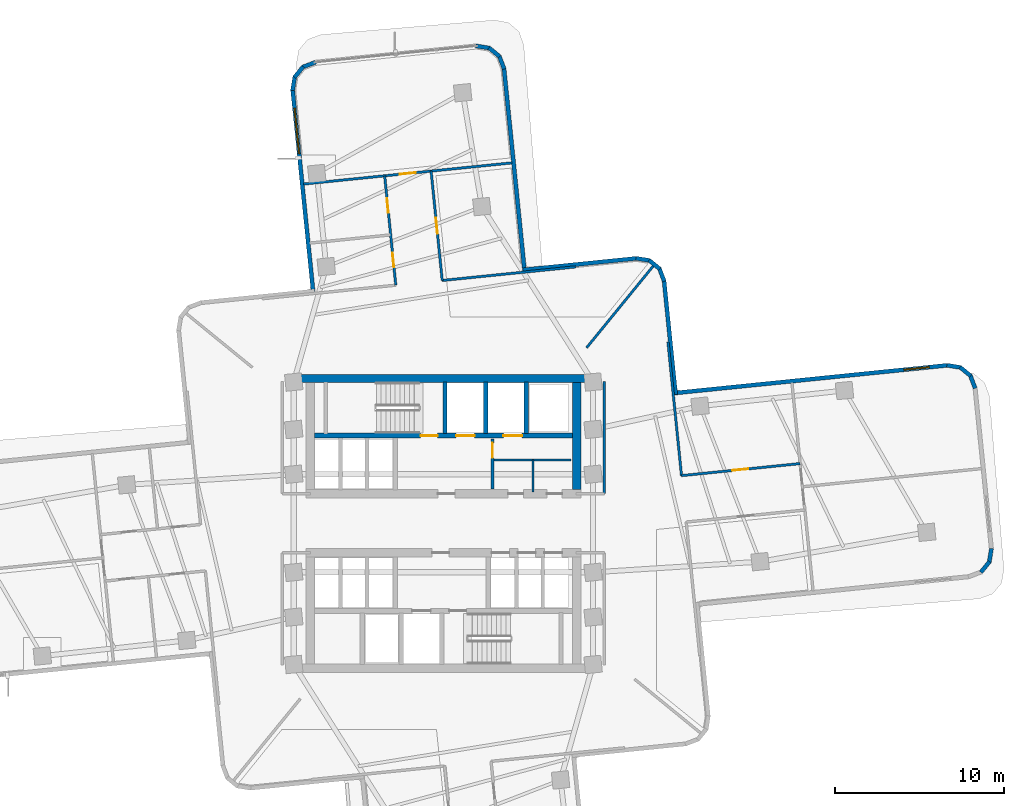
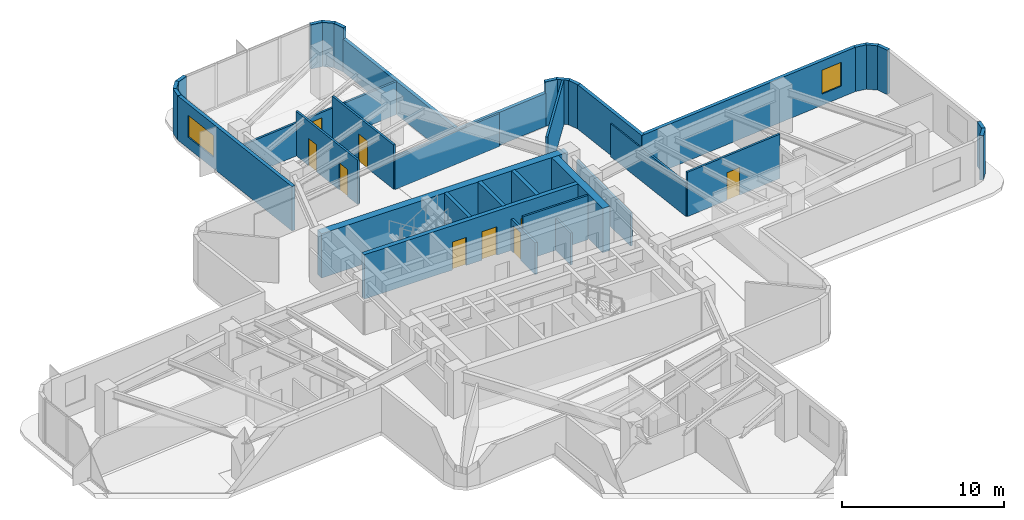
# One storey, part 9 of 14: 36 walls, 9 doors, 2 windows, 11 openings.
"""IFC4 building model written with IfcOpenShell, lengths in metres."""

from ifc_helpers import new_model, si_unit, direction, frame, frame_2d, origin, place, context, subcontext, project, spatial, rectangle, extrude, material, layer, layer_set, type_object, element, fill, save


model = new_model("IFC4")

# Units and contexts
model_context = context("Model", 3, precision=1e-05, world=origin(), true_north=direction((0.0, 1.0)))
body_context = subcontext(model_context, "Body", "Model", "MODEL_VIEW")
ifc_project = project(units=[si_unit("LENGTHUNIT", "METRE"), si_unit("AREAUNIT", "SQUARE_METRE"), si_unit("VOLUMEUNIT", "CUBIC_METRE"), si_unit("PLANEANGLEUNIT", "RADIAN"), si_unit("MASSUNIT", "GRAM", prefix="KILO")], contexts=[model_context])

# Site, building, storey
site_placement = place(None, origin())
site = spatial("IfcSite", under=ifc_project, at=site_placement, CompositionType="ELEMENT")
building_placement = place(site_placement, origin())
building = spatial("IfcBuilding", under=site, at=building_placement, Name="Solmarez Civic Tower", CompositionType="ELEMENT")
storey_placement = place(building_placement, frame((0.0, 0.0, 67.679931640625)))
storey = spatial("IfcBuildingStorey", under=building, at=storey_placement, Name="L17", CompositionType="ELEMENT", Elevation=67.679931640625)

# Walls
ifc_material_1 = material(Name="Concrete C60/75", Category="concrete")
ifc_layer_1 = layer(ifc_material_1, 0.5)
ifc_layer_set_1 = layer_set([ifc_layer_1], Name="Concrete C60/75")
wall_type_1 = type_object("IfcWallType", Name="WALL-CORE-500", PredefinedType="SHEAR", material=ifc_layer_set_1)
wall_1_placement = place(storey_placement, frame((-8.780029296875, 8.56005859375, 0.0), z_axis=(0.0, 0.0, 1.0), x_axis=(1.0, 0.0, 0.0)))
element("IfcWall", 1, at=wall_1_placement, inside=storey, type_object=wall_type_1, Name="L17 Split-Core Structural Wall NCW-N-L17", PredefinedType="SHEAR", context=body_context, shape_type="SweptSolid", body=[
    extrude(rectangle(XDim=17.56005859375, YDim=0.5, at=frame_2d((8.780029296875, 0.0))), origin(), (0.0, 0.0, 1.0), 3.340087890625),
])
wall_2_placement = place(storey_placement, frame((7.8701171875, 8.31005859375, 0.0), z_axis=(0.0, 0.0, 1.0), x_axis=(0.0, -1.0, 0.0)))
element("IfcWall", 2, at=wall_2_placement, inside=storey, type_object=wall_type_1, Name="L17 Split-Core Structural Wall NCW-E-L17", PredefinedType="SHEAR", context=body_context, shape_type="SweptSolid", body=[
    extrude(rectangle(XDim=6.31005859375, YDim=0.5, at=frame_2d((3.155029296875, 0.0))), origin(), (0.0, 0.0, 1.0), 3.340087890625),
])

# Wall, opening, window
ifc_material_2 = material(Name="Precast concrete C40/50", Category="concrete")
ifc_layer_2 = layer(ifc_material_2, 0.239990234375)
ifc_layer_set_2 = layer_set([ifc_layer_2], Name="Precast concrete C40/50")
wall_type_2 = type_object("IfcWallType", Name="WALL-EXT-240", PredefinedType="SOLIDWALL", material=ifc_layer_set_2)
wall_3_placement = place(storey_placement, frame((-7.696044921875, 13.6259765625, 0.0), z_axis=(0.0, 0.0, 1.0), x_axis=(-0.101115101, 0.994874733999, 0.0)))
wall_3 = element("IfcWall", 3, at=wall_3_placement, inside=storey, type_object=wall_type_2, Name="L17 Exterior Precast Wall 20", PredefinedType="SOLIDWALL", context=body_context, shape_type="SweptSolid", body=[
    extrude(rectangle(XDim=12.07470703125, YDim=0.239990234375, at=frame_2d((6.037353515625, 0.0))), origin(), (0.0, 0.0, 1.0), 3.340087890625),
])
opening_1_placement = place(wall_3_placement, frame((8.27490234375, 0.0, 0.85009765625)))
opening_1 = element("IfcOpeningElement", 4, at=opening_1_placement, cuts=wall_3, Name="Opening W-09", PredefinedType="OPENING", context=body_context, shape_type="SweptSolid", body=[
    extrude(rectangle(XDim=2.699951171875, YDim=1.64990234375, at=frame_2d((1.35009765625, 0.824951171875))), frame((0.0, 0.1298828125, 0.0), z_axis=(0.0, -1.0, 0.0), x_axis=(1.0, 0.0, 0.0)), (0.0, 0.0, 1.0), 0.260009765625),
])
ifc_material_3 = material(Name="Solar Control Bronze-Tinted Insulating Glass", Category="glass")
window_type_1 = type_object("IfcWindowType", Name="WIN-2700X1650", PartitioningType="SINGLE_PANEL", PredefinedType="WINDOW", material=ifc_material_3)
window_1_placement = place(opening_1_placement, origin())
window_1 = element("IfcWindow", 5, at=window_1_placement, inside=storey, type_object=window_type_1, Name="L17 Exterior Facade Window 20", OverallHeight=1.64990234375, OverallWidth=2.699951171875, PartitioningType="SINGLE_PANEL", PredefinedType="WINDOW", context=body_context, shape_type="SweptSolid", body=[
    extrude(rectangle(XDim=2.699951171875, YDim=1.64990234375, at=frame_2d((1.35009765625, 0.824951171875))), frame((0.0, 0.030029296875, 0.0), z_axis=(0.0, -1.0, 0.0), x_axis=(1.0, 0.0, 0.0)), (0.0, 0.0, 1.0), 0.06005859375),
])
fill(opening_1, window_1)

# Walls
wall_4_placement = place(storey_placement, frame((-8.91796875, 25.589111328125, 0.0), z_axis=(0.0, 0.0, 1.0), x_axis=(0.160017033906, 0.987114253195, 0.0)))
element("IfcWall", 6, at=wall_4_placement, inside=storey, type_object=wall_type_2, Name="L17 Exterior Precast Wall 21", PredefinedType="SOLIDWALL", context=body_context, shape_type="SweptSolid", body=[
    extrude(rectangle(XDim=0.83154296875, YDim=0.239990234375, at=frame_2d((0.415771484375, 0.0))), origin(), (0.0, 0.0, 1.0), 3.340087890625),
])
wall_5_placement = place(storey_placement, frame((-8.804931640625, 26.365966796875, 0.0), z_axis=(0.0, 0.0, 1.0), x_axis=(0.632027096542, 0.774946287969, 0.0)))
element("IfcWall", 7, at=wall_5_placement, inside=storey, type_object=wall_type_2, Name="L17 Exterior Precast Wall 22", PredefinedType="SOLIDWALL", context=body_context, shape_type="SweptSolid", body=[
    extrude(rectangle(XDim=0.813232421875, YDim=0.239990234375, at=frame_2d((0.40673828125, 0.0))), origin(), (0.0, 0.0, 1.0), 3.340087890625),
])
wall_6_placement = place(storey_placement, frame((-8.330078125, 26.968017578125, 0.0), z_axis=(0.0, 0.0, 1.0), x_axis=(0.934785533372, 0.355212621678, 0.0)))
element("IfcWall", 8, at=wall_6_placement, inside=storey, type_object=wall_type_2, Name="L17 Exterior Precast Wall 23", PredefinedType="SOLIDWALL", context=body_context, shape_type="SweptSolid", body=[
    extrude(rectangle(XDim=0.830322265625, YDim=0.239990234375, at=frame_2d((0.4150390625, 0.0))), origin(), (0.0, 0.0, 1.0), 3.340087890625),
])
wall_7_placement = place(storey_placement, frame((1.9169921875, 28.22509765625, 0.0), z_axis=(0.0, 0.0, 1.0), x_axis=(0.987091669755, -0.160156284613, 0.0)))
element("IfcWall", 9, at=wall_7_placement, inside=storey, type_object=wall_type_2, Name="L17 Exterior Precast Wall 25", PredefinedType="SOLIDWALL", context=body_context, shape_type="SweptSolid", body=[
    extrude(rectangle(XDim=0.830810546875, YDim=0.239990234375, at=frame_2d((0.41552734375, 0.0))), origin(), (0.0, 0.0, 1.0), 3.340087890625),
])
wall_8_placement = place(storey_placement, frame((2.693115234375, 28.112060546875, 0.0), z_axis=(0.0, 0.0, 1.0), x_axis=(0.774090961032, -0.633074390612, 0.0)))
element("IfcWall", 10, at=wall_8_placement, inside=storey, type_object=wall_type_2, Name="L17 Exterior Precast Wall 26", PredefinedType="SOLIDWALL", context=body_context, shape_type="SweptSolid", body=[
    extrude(rectangle(XDim=0.813720703125, YDim=0.239990234375, at=frame_2d((0.40673828125, 0.0))), origin(), (0.0, 0.0, 1.0), 3.340087890625),
])
wall_9_placement = place(storey_placement, frame((3.294921875, 27.635986328125, 0.0), z_axis=(0.0, 0.0, 1.0), x_axis=(0.356986424395, -0.934109572158, 0.0)))
element("IfcWall", 11, at=wall_9_placement, inside=storey, type_object=wall_type_2, Name="L17 Exterior Precast Wall 27", PredefinedType="SOLIDWALL", context=body_context, shape_type="SweptSolid", body=[
    extrude(rectangle(XDim=0.82958984375, YDim=0.239990234375, at=frame_2d((0.414794921875, 0.0))), origin(), (0.0, 0.0, 1.0), 3.340087890625),
])
wall_10_placement = place(storey_placement, frame((3.5791015625, 26.908935546875, 0.0), z_axis=(0.0, 0.0, 1.0), x_axis=(0.10110696579, -0.994875560796, 0.0)))
element("IfcWall", 12, at=wall_10_placement, inside=storey, type_object=wall_type_2, Name="L17 Exterior Precast Wall 28", PredefinedType="SOLIDWALL", context=body_context, shape_type="SweptSolid", body=[
    extrude(rectangle(XDim=12.07568359375, YDim=0.239990234375, at=frame_2d((6.037841796875, 0.0))), origin(), (0.0, 0.0, 1.0), 2.486083984375),
])
wall_11_placement = place(storey_placement, frame((4.694091796875, 14.98095703125, 0.0), z_axis=(0.0, 0.0, 1.0), x_axis=(0.994875719665, 0.101105402534, 0.0)))
element("IfcWall", 13, at=wall_11_placement, inside=storey, type_object=wall_type_2, Name="L17 Exterior Precast Wall 31", PredefinedType="SOLIDWALL", context=body_context, shape_type="SweptSolid", body=[
    extrude(rectangle(XDim=6.775634765625, YDim=0.239990234375, at=frame_2d((3.3876953125, 0.0))), origin(), (0.0, 0.0, 1.0), 2.486083984375),
])
wall_12_placement = place(storey_placement, frame((11.385009765625, 15.6669921875, 0.0), z_axis=(0.0, 0.0, 1.0), x_axis=(0.987091669755, -0.160156284613, 0.0)))
element("IfcWall", 14, at=wall_12_placement, inside=storey, type_object=wall_type_2, Name="L17 Exterior Precast Wall 32", PredefinedType="SOLIDWALL", context=body_context, shape_type="SweptSolid", body=[
    extrude(rectangle(XDim=0.830810546875, YDim=0.239990234375, at=frame_2d((0.41552734375, 0.0))), origin(), (0.0, 0.0, 1.0), 3.340087890625),
])
wall_13_placement = place(storey_placement, frame((12.160888671875, 15.553955078125, 0.0), z_axis=(0.0, 0.0, 1.0), x_axis=(0.774946287969, -0.632027096542, 0.0)))
element("IfcWall", 15, at=wall_13_placement, inside=storey, type_object=wall_type_2, Name="L17 Exterior Precast Wall 33", PredefinedType="SOLIDWALL", context=body_context, shape_type="SweptSolid", body=[
    extrude(rectangle(XDim=0.813232421875, YDim=0.239990234375, at=frame_2d((0.40673828125, 0.0))), origin(), (0.0, 0.0, 1.0), 3.340087890625),
])
wall_14_placement = place(storey_placement, frame((12.762939453125, 15.0791015625, 0.0), z_axis=(0.0, 0.0, 1.0), x_axis=(0.355469529522, -0.934687869602, 0.0)))
element("IfcWall", 16, at=wall_14_placement, inside=storey, type_object=wall_type_2, Name="L17 Exterior Precast Wall 34", PredefinedType="SOLIDWALL", context=body_context, shape_type="SweptSolid", body=[
    extrude(rectangle(XDim=0.830322265625, YDim=0.239990234375, at=frame_2d((0.4150390625, 0.0))), origin(), (0.0, 0.0, 1.0), 3.340087890625),
])
wall_15_placement = place(storey_placement, frame((13.0458984375, 14.35107421875, 0.0), z_axis=(0.0, 0.0, 1.0), x_axis=(0.101248053545, -0.994861212257, 0.0)))
element("IfcWall", 17, at=wall_15_placement, inside=storey, type_object=wall_type_2, Name="L17 Exterior Precast Wall 35", PredefinedType="SOLIDWALL", context=body_context, shape_type="SweptSolid", body=[
    extrude(rectangle(XDim=6.77587890625, YDim=0.239990234375, at=frame_2d((3.387939453125, 0.0))), origin(), (0.0, 0.0, 1.0), 3.340087890625),
])

# Wall, opening, window
wall_16_placement = place(storey_placement, frame((13.6259765625, 7.696044921875, 0.0), z_axis=(0.0, 0.0, 1.0), x_axis=(0.994872930989, 0.101132839298, 0.0)))
wall_16 = element("IfcWall", 18, at=wall_16_placement, inside=storey, type_object=wall_type_2, Name="L17 Exterior Precast Wall 38", PredefinedType="SOLIDWALL", context=body_context, shape_type="SweptSolid", body=[
    extrude(rectangle(XDim=16.275634765625, YDim=0.239990234375, at=frame_2d((8.1376953125, 0.0))), origin(), (0.0, 0.0, 1.0), 3.340087890625),
])
opening_2_placement = place(wall_16_placement, frame((13.675048828125, 0.0, 0.85009765625)))
opening_2 = element("IfcOpeningElement", 19, at=opening_2_placement, cuts=wall_16, Name="Opening W-13", PredefinedType="OPENING", context=body_context, shape_type="SweptSolid", body=[
    extrude(rectangle(XDim=1.5, YDim=1.800048828125, at=frame_2d((0.75, 0.89990234375))), frame((0.0, 0.1298828125, 0.0), z_axis=(0.0, -1.0, 0.0), x_axis=(1.0, 0.0, 0.0)), (0.0, 0.0, 1.0), 0.260009765625),
])
window_type_2 = type_object("IfcWindowType", Name="WIN-1500X1800", PartitioningType="SINGLE_PANEL", PredefinedType="WINDOW", material=ifc_material_3)
window_2_placement = place(opening_2_placement, origin())
window_2 = element("IfcWindow", 20, at=window_2_placement, inside=storey, type_object=window_type_2, Name="L17 Exterior Facade Window 38", OverallHeight=1.800048828125, OverallWidth=1.5, PartitioningType="SINGLE_PANEL", PredefinedType="WINDOW", context=body_context, shape_type="SweptSolid", body=[
    extrude(rectangle(XDim=1.5, YDim=1.800048828125, at=frame_2d((0.75, 0.89990234375))), frame((0.0, 0.030029296875, 0.0), z_axis=(0.0, -1.0, 0.0), x_axis=(1.0, 0.0, 0.0)), (0.0, 0.0, 1.0), 0.06005859375),
])
fill(opening_2, window_2)

# Walls
wall_17_placement = place(storey_placement, frame((29.76806640625, 9.343017578125, 0.0), z_axis=(0.0, 0.0, 1.0), x_axis=(0.987084128833, -0.160202754679, 0.0)))
element("IfcWall", 21, at=wall_17_placement, inside=storey, type_object=wall_type_2, Name="L17 Exterior Precast Wall 39", PredefinedType="SOLIDWALL", context=body_context, shape_type="SweptSolid", body=[
    extrude(rectangle(XDim=0.83056640625, YDim=0.239990234375, at=frame_2d((0.415283203125, 0.0))), origin(), (0.0, 0.0, 1.0), 3.340087890625),
])
wall_18_placement = place(storey_placement, frame((30.5439453125, 9.22998046875, 0.0), z_axis=(0.0, 0.0, 1.0), x_axis=(0.774358164226, -0.632747527452, 0.0)))
element("IfcWall", 22, at=wall_18_placement, inside=storey, type_object=wall_type_2, Name="L17 Exterior Precast Wall 40", PredefinedType="SOLIDWALL", context=body_context, shape_type="SweptSolid", body=[
    extrude(rectangle(XDim=0.813720703125, YDim=0.239990234375, at=frame_2d((0.40673828125, 0.0))), origin(), (0.0, 0.0, 1.0), 3.340087890625),
])
wall_19_placement = place(storey_placement, frame((31.14599609375, 8.75390625, 0.0), z_axis=(0.0, 0.0, 1.0), x_axis=(0.355701438235, -0.934599639866, 0.0)))
element("IfcWall", 23, at=wall_19_placement, inside=storey, type_object=wall_type_2, Name="L17 Exterior Precast Wall 41", PredefinedType="SOLIDWALL", context=body_context, shape_type="SweptSolid", body=[
    extrude(rectangle(XDim=0.8291015625, YDim=0.239990234375, at=frame_2d((0.41455078125, 0.0))), origin(), (0.0, 0.0, 1.0), 3.340087890625),
])
wall_20_placement = place(storey_placement, frame((32.403076171875, -1.492919921875, 0.0), z_axis=(0.0, 0.0, 1.0), x_axis=(-0.160156284613, -0.987091669755, 0.0)))
element("IfcWall", 24, at=wall_20_placement, inside=storey, type_object=wall_type_2, Name="L17 Exterior Precast Wall 43", PredefinedType="SOLIDWALL", context=body_context, shape_type="SweptSolid", body=[
    extrude(rectangle(XDim=0.830810546875, YDim=0.239990234375, at=frame_2d((0.41552734375, 0.0))), origin(), (0.0, 0.0, 1.0), 3.340087890625),
])
wall_21_placement = place(storey_placement, frame((32.2900390625, -2.26904296875, 0.0), z_axis=(0.0, 0.0, 1.0), x_axis=(-0.632354425822, -0.774679211121, 0.0)))
element("IfcWall", 25, at=wall_21_placement, inside=storey, type_object=wall_type_2, Name="L17 Exterior Precast Wall 44", PredefinedType="SOLIDWALL", context=body_context, shape_type="SweptSolid", body=[
    extrude(rectangle(XDim=0.81298828125, YDim=0.239990234375, at=frame_2d((0.406494140625, 0.0))), origin(), (0.0, 0.0, 1.0), 3.340087890625),
])
ifc_material_4 = material(Name="Gypsum Board Acoustic Steel-Stud Partition", Category="steel")
ifc_layer_3 = layer(ifc_material_4, 0.14990234375)
ifc_layer_set_3 = layer_set([ifc_layer_3], Name="Gypsum Board Acoustic Steel-Stud Partition")
wall_type_3 = type_object("IfcWallType", Name="WALL-INT-FIRE-150", PredefinedType="PARTITIONING", material=ifc_layer_set_3)
wall_22_placement = place(storey_placement, frame((9.52001953125, 1.75, 0.0), z_axis=(0.0, 0.0, 1.0), x_axis=(0.0, 1.0, 0.0)))
element("IfcWall", 26, at=wall_22_placement, inside=storey, type_object=wall_type_3, Name="L17 Interior Partition CHW-L17-EN1", PredefinedType="PARTITIONING", context=body_context, shape_type="SweptSolid", body=[
    extrude(rectangle(XDim=6.6298828125, YDim=0.14990234375, at=frame_2d((3.31494140625, 0.0))), origin(), (0.0, 0.0, 1.0), 2.486083984375),
])
ifc_layer_4 = layer(ifc_material_4, 0.14501953125)
ifc_layer_set_4 = layer_set([ifc_layer_4], Name="Gypsum Board Acoustic Steel-Stud Partition")
wall_type_4 = type_object("IfcWallType", Name="WALL-INT-PART-150", PredefinedType="PARTITIONING", material=ifc_layer_set_4)
wall_23_placement = place(storey_placement, frame((8.466064453125, 10.3798828125, 0.0), z_axis=(0.0, 0.0, 1.0), x_axis=(0.631992375104, 0.774974604623, 0.0)))
element("IfcWall", 27, at=wall_23_placement, inside=storey, type_object=wall_type_4, Name="L17 Interior Partition PT-L17-QDIV-1", PredefinedType="PARTITIONING", context=body_context, shape_type="SweptSolid", body=[
    extrude(rectangle(XDim=6.259765625, YDim=0.14501953125, at=frame_2d((3.1298828125, 0.0))), origin(), (0.0, 0.0, 1.0), 3.340087890625),
])
wall_24_placement = place(storey_placement, frame((14.077880859375, 2.806884765625, 0.0), z_axis=(0.0, 0.0, 1.0), x_axis=(-0.100884076592, 0.994898187299, 0.0)))
element("IfcWall", 28, at=wall_24_placement, inside=storey, type_object=wall_type_4, Name="L17 Interior Partition PT-L17-E-EFL", PredefinedType="PARTITIONING", context=body_context, shape_type="SweptSolid", body=[
    extrude(rectangle(XDim=7.94970703125, YDim=0.14501953125, at=frame_2d((3.974853515625, 0.0))), origin(), (0.0, 0.0, 1.0), 2.486083984375),
])

# Wall, opening, door
wall_25_placement = place(storey_placement, frame((21.091064453125, 3.529052734375, 0.0), z_axis=(0.0, 0.0, 1.0), x_axis=(-0.994885188523, -0.101012185692, 0.0)))
wall_25 = element("IfcWall", 29, at=wall_25_placement, inside=storey, type_object=wall_type_4, Name="L17 Interior Partition PT-L17-E-SL", PredefinedType="PARTITIONING", context=body_context, shape_type="SweptSolid", body=[
    extrude(rectangle(XDim=7.05029296875, YDim=0.14501953125, at=frame_2d((3.525146484375, 0.0))), origin(), (0.0, 0.0, 1.0), 3.340087890625),
])
opening_3_placement = place(wall_25_placement, frame((3.074951171875, 0.0, 0.0)))
opening_3 = element("IfcOpeningElement", 30, at=opening_3_placement, cuts=wall_25, Name="Opening D-10", PredefinedType="OPENING", context=body_context, shape_type="SweptSolid", body=[
    extrude(rectangle(XDim=0.949951171875, YDim=2.080078125, at=frame_2d((0.47509765625, 1.0400390625))), frame((0.0, 0.08251953125, 0.0), z_axis=(0.0, -1.0, 0.0), x_axis=(1.0, 0.0, 0.0)), (0.0, 0.0, 1.0), 0.1650390625),
])
ifc_material_5 = material(Name="Solid-Core Timber Ministry Office Door", Category="wood")
door_type_1 = type_object("IfcDoorType", Name="DOOR-INT-950", OperationType="NOTDEFINED", PredefinedType="DOOR", material=ifc_material_5)
door_1_placement = place(opening_3_placement, origin())
door_1 = element("IfcDoor", 31, at=door_1_placement, inside=storey, type_object=door_type_1, Name="L17 Co-Working Policy Workspace East Door", OperationType="SINGLE_SWING_LEFT", OverallHeight=2.080078125, OverallWidth=0.949951171875, PredefinedType="DOOR", context=body_context, shape_type="SweptSolid", body=[
    extrude(rectangle(XDim=0.949951171875, YDim=2.080078125, at=frame_2d((0.47509765625, 1.0400390625))), frame((0.0, 0.02490234375, 0.0), z_axis=(0.0, -1.0, 0.0), x_axis=(1.0, 0.0, 0.0)), (0.0, 0.0, 1.0), 0.050048828125),
])
fill(opening_3, door_1)

# Wall
wall_26_placement = place(storey_placement, frame((7.827880859375, 15.158935546875, 0.0), z_axis=(0.0, 0.0, 1.0), x_axis=(-0.994873184944, -0.101130341041, 0.0)))
element("IfcWall", 32, at=wall_26_placement, inside=storey, type_object=wall_type_4, Name="L17 Interior Partition PT-L17-N-EFR", PredefinedType="PARTITIONING", context=body_context, shape_type="SweptSolid", body=[
    extrude(rectangle(XDim=7.94970703125, YDim=0.14501953125, at=frame_2d((3.974853515625, 0.0))), origin(), (0.0, 0.0, 1.0), 2.486083984375),
])

# Wall, openings, doors
wall_27_placement = place(storey_placement, frame((-3.47412109375, 20.5439453125, 0.0), z_axis=(0.0, 0.0, 1.0), x_axis=(0.101106315361, -0.994875626897, 0.0)))
wall_27 = element("IfcWall", 33, at=wall_27_placement, inside=storey, type_object=wall_type_4, Name="L17 Interior Partition PT-L17-N-SL", PredefinedType="PARTITIONING", context=body_context, shape_type="SweptSolid", body=[
    extrude(rectangle(XDim=6.500244140625, YDim=0.14501953125, at=frame_2d((3.25, 0.0))), origin(), (0.0, 0.0, 1.0), 3.340087890625),
])
opening_4_placement = place(wall_27_placement, frame((4.574951171875, 0.0, 0.0)))
opening_4 = element("IfcOpeningElement", 34, at=opening_4_placement, cuts=wall_27, Name="Opening D-14", PredefinedType="OPENING", context=body_context, shape_type="SweptSolid", body=[
    extrude(rectangle(XDim=0.860107421875, YDim=2.0400390625, at=frame_2d((0.43017578125, 1.02001953125))), frame((0.0, 0.08251953125, 0.0), z_axis=(0.0, -1.0, 0.0), x_axis=(1.0, 0.0, 0.0)), (0.0, 0.0, 1.0), 0.1650390625),
])
opening_5_placement = place(wall_27_placement, frame((1.324951171875, 0.0, 0.0)))
opening_5 = element("IfcOpeningElement", 35, at=opening_5_placement, cuts=wall_27, Name="Opening D-14", PredefinedType="OPENING", context=body_context, shape_type="SweptSolid", body=[
    extrude(rectangle(XDim=0.860107421875, YDim=2.0400390625, at=frame_2d((0.43017578125, 1.02001953125))), frame((0.0, 0.08251953125, 0.0), z_axis=(0.0, -1.0, 0.0), x_axis=(1.0, 0.0, 0.0)), (0.0, 0.0, 1.0), 0.1650390625),
])
ifc_material_6 = material(Name="Timber Storage and Pantry Door", Category="wood")
door_type_2 = type_object("IfcDoorType", Name="DOOR-INT-850", OperationType="NOTDEFINED", PredefinedType="DOOR", material=ifc_material_6)
door_2_placement = place(opening_4_placement, origin())
door_2 = element("IfcDoor", 36, at=door_2_placement, inside=storey, type_object=door_type_2, Name="L17 Breakout Huddle Room First North Door", OperationType="SINGLE_SWING_LEFT", OverallHeight=2.0400390625, OverallWidth=0.860107421875, PredefinedType="DOOR", context=body_context, shape_type="SweptSolid", body=[
    extrude(rectangle(XDim=0.860107421875, YDim=2.0400390625, at=frame_2d((0.43017578125, 1.02001953125))), frame((0.0, 0.02490234375, 0.0), z_axis=(0.0, -1.0, 0.0), x_axis=(1.0, 0.0, 0.0)), (0.0, 0.0, 1.0), 0.050048828125),
])
fill(opening_4, door_2)
door_3_placement = place(opening_5_placement, origin())
door_3 = element("IfcDoor", 37, at=door_3_placement, inside=storey, type_object=door_type_2, Name="L17 Municipal Mailroom Second North Door", OperationType="SINGLE_SWING_RIGHT", OverallHeight=2.0400390625, OverallWidth=0.860107421875, PredefinedType="DOOR", context=body_context, shape_type="SweptSolid", body=[
    extrude(rectangle(XDim=0.860107421875, YDim=2.0400390625, at=frame_2d((0.43017578125, 1.02001953125))), frame((0.0, 0.02490234375, 0.0), z_axis=(0.0, -1.0, 0.0), x_axis=(1.0, 0.0, 0.0)), (0.0, 0.0, 1.0), 0.050048828125),
])
fill(opening_5, door_3)

# Wall, opening, door
wall_28_placement = place(storey_placement, frame((-0.071044921875, 14.35595703125, 0.0), z_axis=(0.0, 0.0, 1.0), x_axis=(-0.10106914102, 0.994879404116, 0.0)))
wall_28 = element("IfcWall", 38, at=wall_28_placement, inside=storey, type_object=wall_type_4, Name="L17 Interior Partition PT-L17-N-SR", PredefinedType="PARTITIONING", context=body_context, shape_type="SweptSolid", body=[
    extrude(rectangle(XDim=6.500244140625, YDim=0.14501953125, at=frame_2d((3.25, 0.0))), origin(), (0.0, 0.0, 1.0), 3.340087890625),
])
opening_6_placement = place(wall_28_placement, frame((2.77001953125, 0.0, 0.0)))
opening_6 = element("IfcOpeningElement", 39, at=opening_6_placement, cuts=wall_28, Name="Opening D-10", PredefinedType="OPENING", context=body_context, shape_type="SweptSolid", body=[
    extrude(rectangle(XDim=0.949951171875, YDim=2.080078125, at=frame_2d((0.47509765625, 1.0400390625))), frame((0.0, 0.08251953125, 0.0), z_axis=(0.0, -1.0, 0.0), x_axis=(1.0, 0.0, 0.0)), (0.0, 0.0, 1.0), 0.1650390625),
])
door_4_placement = place(opening_6_placement, origin())
door_4 = element("IfcDoor", 40, at=door_4_placement, inside=storey, type_object=door_type_1, Name="L17 Staff Tea Pantry Third North Door", OperationType="SINGLE_SWING_RIGHT", OverallHeight=2.080078125, OverallWidth=0.949951171875, PredefinedType="DOOR", context=body_context, shape_type="SweptSolid", body=[
    extrude(rectangle(XDim=0.949951171875, YDim=2.080078125, at=frame_2d((0.47509765625, 1.0400390625))), frame((0.0, 0.02490234375, 0.0), z_axis=(0.0, -1.0, 0.0), x_axis=(1.0, 0.0, 0.0)), (0.0, 0.0, 1.0), 0.050048828125),
])
fill(opening_6, door_4)

wall_29_placement = place(storey_placement, frame((-8.263916015625, 20.05810546875, 0.0), z_axis=(0.0, 0.0, 1.0), x_axis=(0.994881268395, 0.101050788209, 0.0)))
wall_29 = element("IfcWall", 41, at=wall_29_placement, inside=storey, type_object=wall_type_4, Name="L17 Interior Partition PT-L17-N-END", PredefinedType="PARTITIONING", context=body_context, shape_type="SweptSolid", body=[
    extrude(rectangle(XDim=12.389404296875, YDim=0.14501953125, at=frame_2d((6.19482421875, 0.0))), origin(), (0.0, 0.0, 1.0), 2.486083984375),
])
opening_7_placement = place(wall_29_placement, frame((5.719970703125, 0.0, 0.0)))
opening_7 = element("IfcOpeningElement", 42, at=opening_7_placement, cuts=wall_29, Name="Opening D-10", PredefinedType="OPENING", context=body_context, shape_type="SweptSolid", body=[
    extrude(rectangle(XDim=0.949951171875, YDim=2.080078125, at=frame_2d((0.47509765625, 1.0400390625))), frame((0.0, 0.08251953125, 0.0), z_axis=(0.0, -1.0, 0.0), x_axis=(1.0, 0.0, 0.0)), (0.0, 0.0, 1.0), 0.1650390625),
])
door_5_placement = place(opening_7_placement, origin())
door_5 = element("IfcDoor", 43, at=door_5_placement, inside=storey, type_object=door_type_1, Name="L17 Staff Tea Pantry Fifth North Door", OperationType="SINGLE_SWING_LEFT", OverallHeight=2.080078125, OverallWidth=0.949951171875, PredefinedType="DOOR", context=body_context, shape_type="SweptSolid", body=[
    extrude(rectangle(XDim=0.949951171875, YDim=2.080078125, at=frame_2d((0.47509765625, 1.0400390625))), frame((0.0, 0.02490234375, 0.0), z_axis=(0.0, -1.0, 0.0), x_axis=(1.0, 0.0, 0.0)), (0.0, 0.0, 1.0), 0.050048828125),
])
fill(opening_7, door_5)

ifc_layer_5 = layer(ifc_material_4, 0.159912109375)
ifc_layer_set_5 = layer_set([ifc_layer_5], Name="Gypsum Board Acoustic Steel-Stud Partition")
wall_type_5 = type_object("IfcWallType", Name="WALL-INT-SHAFT-160", PredefinedType="PARTITIONING", material=ifc_layer_set_5)
wall_30_placement = place(storey_placement, frame((2.89990234375, 2.0400390625, 0.0), z_axis=(0.0, 0.0, 1.0), x_axis=(0.0, 1.0, 0.0)))
wall_30 = element("IfcWall", 44, at=wall_30_placement, inside=storey, type_object=wall_type_5, Name="L17 Interior Partition SHW-NL2-L17", PredefinedType="PARTITIONING", context=body_context, shape_type="SweptSolid", body=[
    extrude(rectangle(XDim=2.93994140625, YDim=0.159912109375, at=frame_2d((1.469970703125, 0.0))), origin(), (0.0, 0.0, 1.0), 2.405029296875),
])
opening_8_placement = place(wall_30_placement, frame((1.820068359375, 0.0, 0.0)))
opening_8 = element("IfcOpeningElement", 45, at=opening_8_placement, cuts=wall_30, Name="Opening D-09", PredefinedType="OPENING", context=body_context, shape_type="SweptSolid", body=[
    extrude(rectangle(XDim=0.89990234375, YDim=2.06005859375, at=frame_2d((0.449951171875, 1.030029296875))), frame((0.0, 0.08984375, 0.0), z_axis=(0.0, -1.0, 0.0), x_axis=(1.0, 0.0, 0.0)), (0.0, 0.0, 1.0), 0.179931640625),
])
ifc_material_7 = material(Name="Fire-Rated Service Core Door", Category="wood")
door_type_3 = type_object("IfcDoorType", Name="DOOR-FD60-900", OperationType="NOTDEFINED", PredefinedType="DOOR", material=ifc_material_7)
door_6_placement = place(opening_8_placement, origin())
door_6 = element("IfcDoor", 46, at=door_6_placement, inside=storey, type_object=door_type_3, Name="L17 Service Lift Lobby Door", OperationType="SINGLE_SWING_LEFT", OverallHeight=2.06005859375, OverallWidth=0.89990234375, PredefinedType="DOOR", context=body_context, shape_type="SweptSolid", body=[
    extrude(rectangle(XDim=0.89990234375, YDim=2.06005859375, at=frame_2d((0.449951171875, 1.030029296875))), frame((0.0, 0.02490234375, 0.0), z_axis=(0.0, -1.0, 0.0), x_axis=(1.0, 0.0, 0.0)), (0.0, 0.0, 1.0), 0.050048828125),
])
fill(opening_8, door_6)

# Walls
ifc_layer_6 = layer(ifc_material_4, 0.137939453125)
ifc_layer_set_6 = layer_set([ifc_layer_6], Name="Gypsum Board Acoustic Steel-Stud Partition")
wall_type_6 = type_object("IfcWallType", Name="WALL-INT-WET-140", PredefinedType="PARTITIONING", material=ifc_layer_set_6)
wall_31_placement = place(storey_placement, frame((2.89990234375, 3.739990234375, 0.0), z_axis=(0.0, 0.0, 1.0), x_axis=(1.0, 0.0, 0.0)))
element("IfcWall", 47, at=wall_31_placement, inside=storey, type_object=wall_type_6, Name="L17 Interior Partition SHW-SVH-L17", PredefinedType="PARTITIONING", context=body_context, shape_type="SweptSolid", body=[
    extrude(rectangle(XDim=4.650146484375, YDim=0.137939453125, at=frame_2d((2.3251953125, 0.0))), origin(), (0.0, 0.0, 1.0), 3.340087890625),
])
wall_32_placement = place(storey_placement, frame((5.300048828125, 1.85009765625, 0.0), z_axis=(0.0, 0.0, 1.0), x_axis=(0.0, 1.0, 0.0)))
element("IfcWall", 48, at=wall_32_placement, inside=storey, type_object=wall_type_6, Name="L17 Interior Partition PT-NCSV-L17", PredefinedType="PARTITIONING", context=body_context, shape_type="SweptSolid", body=[
    extrude(rectangle(XDim=1.889892578125, YDim=0.137939453125, at=frame_2d((0.94482421875, 0.0))), origin(), (0.0, 0.0, 1.0), 2.405029296875),
])

# Wall, openings, doors
ifc_material_8 = material(Name="Concrete C50/60", Category="concrete")
ifc_layer_7 = layer(ifc_material_8, 0.300048828125)
ifc_layer_set_7 = layer_set([ifc_layer_7], Name="Concrete C50/60")
wall_type_7 = type_object("IfcWallType", Name="WALL-STR-300", PredefinedType="SOLIDWALL", material=ifc_layer_set_7)
wall_33_placement = place(storey_placement, frame((7.6201171875, 5.179931640625, 0.0), z_axis=(0.0, 0.0, 1.0), x_axis=(-1.0, 0.0, 0.0)))
wall_33 = element("IfcWall", 49, at=wall_33_placement, inside=storey, type_object=wall_type_7, Name="L17 Split-Core Structural Wall NCW-M-L17", PredefinedType="SOLIDWALL", context=body_context, shape_type="SweptSolid", body=[
    extrude(rectangle(XDim=15.240234375, YDim=0.300048828125, at=frame_2d((7.6201171875, 0.0))), origin(), (0.0, 0.0, 1.0), 3.340087890625),
])
opening_9_placement = place(wall_33_placement, frame((5.77001953125, 0.0, 0.0)))
opening_9 = element("IfcOpeningElement", 50, at=opening_9_placement, cuts=wall_33, Name="Opening LD-02", PredefinedType="OPENING", context=body_context, shape_type="SweptSolid", body=[
    extrude(rectangle(XDim=1.10009765625, YDim=2.14990234375, at=frame_2d((0.550048828125, 1.074951171875))), frame((0.0, 0.159912109375, 0.0), z_axis=(0.0, -1.0, 0.0), x_axis=(1.0, 0.0, 0.0)), (0.0, 0.0, 1.0), 0.320068359375),
])
opening_10_placement = place(wall_33_placement, frame((2.969970703125, 0.0, 0.0)))
opening_10 = element("IfcOpeningElement", 51, at=opening_10_placement, cuts=wall_33, Name="Opening LD-03", PredefinedType="OPENING", context=body_context, shape_type="SweptSolid", body=[
    extrude(rectangle(XDim=1.10009765625, YDim=2.14990234375, at=frame_2d((0.550048828125, 1.074951171875))), frame((0.0, 0.159912109375, 0.0), z_axis=(0.0, -1.0, 0.0), x_axis=(1.0, 0.0, 0.0)), (0.0, 0.0, 1.0), 0.320068359375),
])
opening_11_placement = place(wall_33_placement, frame((7.969970703125, 0.0, 0.0)))
opening_11 = element("IfcOpeningElement", 52, at=opening_11_placement, cuts=wall_33, Name="Opening D-05", PredefinedType="OPENING", context=body_context, shape_type="SweptSolid", body=[
    extrude(rectangle(XDim=1.0, YDim=2.10009765625, at=frame_2d((0.5, 1.050048828125))), frame((0.0, 0.159912109375, 0.0), z_axis=(0.0, -1.0, 0.0), x_axis=(1.0, 0.0, 0.0)), (0.0, 0.0, 1.0), 0.320068359375),
])
ifc_material_9 = material(Name="Fire-Rated Stairwell Exit Door", Category="wood")
door_type_4 = type_object("IfcDoorType", Name="DOOR-FD90-1000", OperationType="NOTDEFINED", PredefinedType="DOOR", material=ifc_material_9)
door_7_placement = place(opening_11_placement, origin())
door_7 = element("IfcDoor", 53, at=door_7_placement, inside=storey, type_object=door_type_4, Name="L17 North Exit Stair Door ST-1", OperationType="SINGLE_SWING_RIGHT", OverallHeight=2.10009765625, OverallWidth=1.0, PredefinedType="DOOR", context=body_context, shape_type="SweptSolid", body=[
    extrude(rectangle(XDim=1.0, YDim=2.10009765625, at=frame_2d((0.5, 1.050048828125))), frame((0.0, 0.02490234375, 0.0), z_axis=(0.0, -1.0, 0.0), x_axis=(1.0, 0.0, 0.0)), (0.0, 0.0, 1.0), 0.050048828125),
])
fill(opening_11, door_7)
ifc_material_10 = material(Name="Stainless Firefighting Lift Landing Sliding Door", Category="aluminium")
door_type_5 = type_object("IfcDoorType", Name="DOOR-LD-FF-1100", OperationType="DOUBLE_DOOR_SLIDING", PredefinedType="DOOR", material=ifc_material_10)
door_8_placement = place(opening_9_placement, origin())
door_8 = element("IfcDoor", 54, at=door_8_placement, inside=storey, type_object=door_type_5, Name="L17 Firefighting Lift Landing Door FFL-1", OperationType="DOUBLE_DOOR_SLIDING", OverallHeight=2.14990234375, OverallWidth=1.10009765625, PredefinedType="DOOR", context=body_context, shape_type="SweptSolid", body=[
    extrude(rectangle(XDim=1.10009765625, YDim=2.14990234375, at=frame_2d((0.550048828125, 1.074951171875))), frame((0.0, 0.02490234375, 0.0), z_axis=(0.0, -1.0, 0.0), x_axis=(1.0, 0.0, 0.0)), (0.0, 0.0, 1.0), 0.050048828125),
])
fill(opening_9, door_8)
ifc_material_11 = material(Name="Stainless Stretcher Lift Landing Sliding Door", Category="aluminium")
door_type_6 = type_object("IfcDoorType", Name="DOOR-LD-SV-1100", OperationType="DOUBLE_DOOR_SLIDING", PredefinedType="DOOR", material=ifc_material_11)
door_9_placement = place(opening_10_placement, origin())
door_9 = element("IfcDoor", 55, at=door_9_placement, inside=storey, type_object=door_type_6, Name="L17 Service Stretcher Lift Landing Door SVL-1", OperationType="DOUBLE_DOOR_SLIDING", OverallHeight=2.14990234375, OverallWidth=1.10009765625, PredefinedType="DOOR", context=body_context, shape_type="SweptSolid", body=[
    extrude(rectangle(XDim=1.10009765625, YDim=2.14990234375, at=frame_2d((0.550048828125, 1.074951171875))), frame((0.0, 0.02490234375, 0.0), z_axis=(0.0, -1.0, 0.0), x_axis=(1.0, 0.0, 0.0)), (0.0, 0.0, 1.0), 0.050048828125),
])
fill(opening_10, door_9)

# Walls
for number, where, z_axis, x_axis, name in (
    (56, (0.10009765625, 5.300048828125, 0.0), (0.0, 0.0, 1.0), (0.0, 1.0, 0.0), "L17 Split-Core Structural Wall SHW-N1-L17"),
    (57, (2.5, 5.300048828125, 0.0), (0.0, 0.0, 1.0), (0.0, 1.0, 0.0), "L17 Split-Core Structural Wall SHW-N2-L17"),
    (58, (4.89990234375, 5.300048828125, 0.0), (0.0, 0.0, 1.0), (0.0, 1.0, 0.0), "L17 Split-Core Structural Wall SHW-N3-L17"),
):
    element("IfcWall", number, at=place(storey_placement, frame(where, z_axis=z_axis, x_axis=x_axis)), inside=storey, type_object=wall_type_7, Name=name, PredefinedType="SOLIDWALL", context=body_context, shape_type="SweptSolid", body=[
        extrude(rectangle(XDim=3.0400390625, YDim=0.25, at=frame_2d((1.52001953125, 0.0))), origin(), (0.0, 0.0, 1.0), 3.340087890625),
    ])

save(model, "model.ifc")
